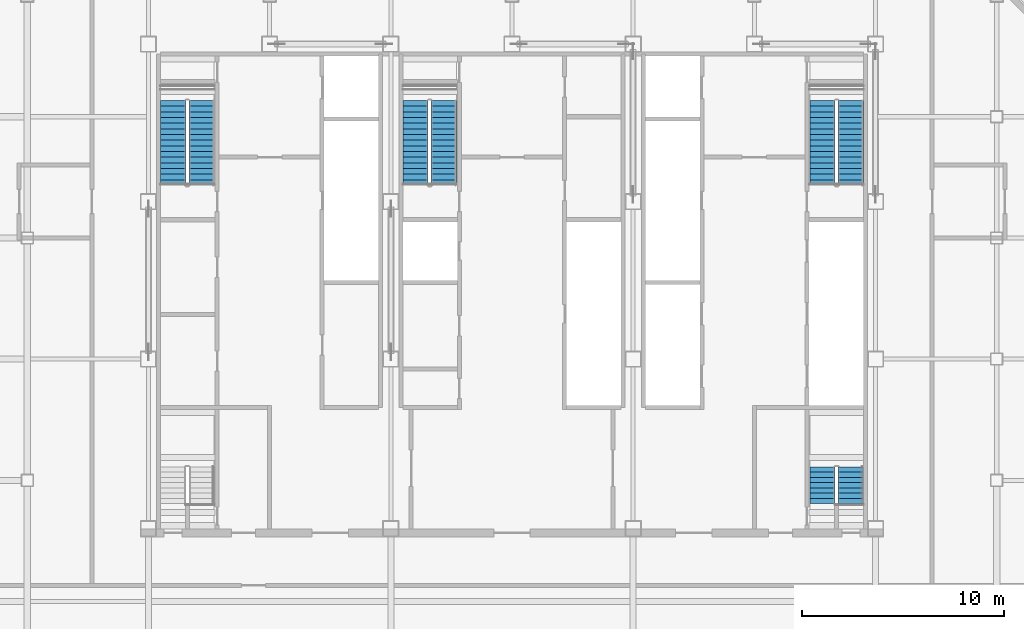
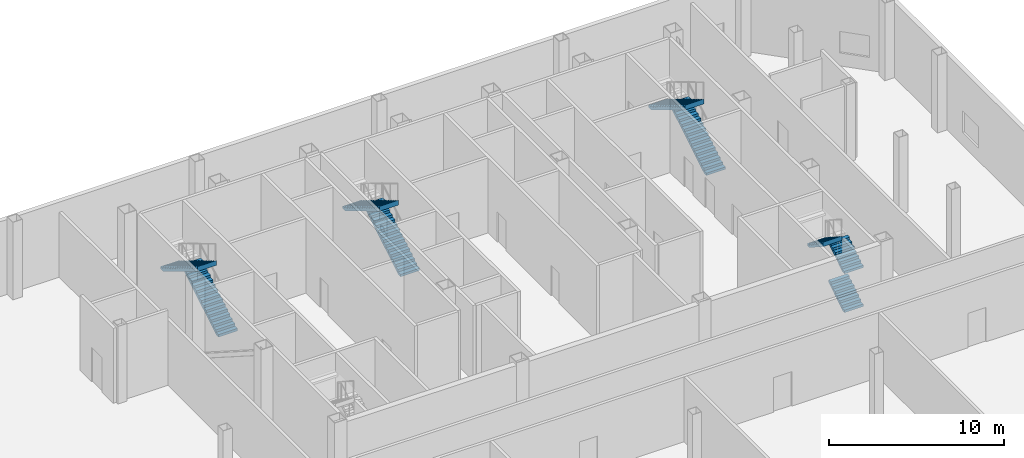
# One storey, part 8 of 11: 9 stair flights, 4 elements without a shape of their own.
"""IFC4 building model written with IfcOpenShell, lengths in metres."""

from ifc_helpers import new_model, si_unit, direction, frame, origin, place, context, subcontext, project, spatial, polyline, outline, extrude, material, type_object, element, aggregate, save


model = new_model("IFC4")

# Units and contexts
model_context = context("Model", 3, precision=1e-05, world=origin(), true_north=direction((0.0, 1.0)))
body_context = subcontext(model_context, "Body", "Model", "MODEL_VIEW")
ifc_project = project(units=[si_unit("LENGTHUNIT", "METRE"), si_unit("AREAUNIT", "SQUARE_METRE"), si_unit("VOLUMEUNIT", "CUBIC_METRE"), si_unit("PLANEANGLEUNIT", "RADIAN"), si_unit("MASSUNIT", "GRAM", prefix="KILO")], contexts=[model_context])

# Site, building, storey
site_placement = place(None, origin())
site = spatial("IfcSite", under=ifc_project, at=site_placement, CompositionType="ELEMENT")
building_placement = place(site_placement, origin())
building = spatial("IfcBuilding", under=site, at=building_placement, Name="Sorahane Residences", CompositionType="ELEMENT")
storey_placement = place(building_placement, frame((0.0, 0.0, 234.199951171875)))
storey = spatial("IfcBuildingStorey", under=building, at=storey_placement, Name="L55", CompositionType="ELEMENT", Elevation=234.199951171875)

# Stair, stair flights
ifc_material_1 = material(Name="Concrete C40", Category="concrete")
stair_type = type_object("IfcStairType", Name="Dog-leg stair 1250 Concrete C40", PredefinedType="HALF_TURN_STAIR", material=ifc_material_1)
stair_1_placement = place(storey_placement, origin())
stair_1 = element("IfcStair", 1, at=stair_1_placement, inside=storey, type_object=stair_type, Name="L55 Stair S1", PredefinedType="HALF_TURN_STAIR")
ifc_material_2 = material(Name="Concrete C40", Category="concrete")
stair_flight_type = type_object("IfcStairFlightType", Name="Stair flight 1250 Concrete C40", PredefinedType="STRAIGHT", material=ifc_material_2)
stair_flight_1_placement = place(storey_placement, frame((8.625, 38.60009765625, 0.0), z_axis=(0.0, 0.0, 1.0), x_axis=(0.0, 1.0, 0.0)))
stair_flight_1 = element("IfcStairFlight", 2, at=stair_flight_1_placement, type_object=stair_flight_type, Name="S1 flight 1", NumberOfRisers=16, NumberOfTreads=15, PredefinedType="STRAIGHT", RiserHeight=0.16875, TreadLength=0.28, context=body_context, shape_type="SweptSolid", body=[
    extrude(outline(polyline([(-0.00146484375, 0.0), (-0.00146484375, 0.168701171875), (0.0, 0.168701171875), (0.280029296875, 0.168701171875), (0.280029296875, 0.33740234375), (0.56005859375, 0.33740234375), (0.56005859375, 0.50634765625), (0.840087890625, 0.50634765625), (0.840087890625, 0.675048828125), (1.1201171875, 0.675048828125), (1.1201171875, 0.84375), (1.39990234375, 0.84375), (1.39990234375, 1.012451171875), (1.679931640625, 1.012451171875), (1.679931640625, 1.18115234375), (1.9599609375, 1.18115234375), (1.9599609375, 1.35009765625), (2.239990234375, 1.35009765625), (2.239990234375, 1.518798828125), (2.52001953125, 1.518798828125), (2.52001953125, 1.6875), (2.800048828125, 1.6875), (2.800048828125, 1.856201171875), (3.080078125, 1.856201171875), (3.080078125, 2.02490234375), (3.360107421875, 2.02490234375), (3.360107421875, 2.19384765625), (3.639892578125, 2.19384765625), (3.639892578125, 2.362548828125), (3.919921875, 2.362548828125), (3.919921875, 2.53125), (4.199951171875, 2.53125), (4.199951171875, 2.699951171875), (4.199951171875, 2.356201171875), (3.969970703125, 2.217529296875), (3.739990234375, 2.0791015625), (3.510009765625, 1.9404296875), (3.280029296875, 1.8017578125), (3.050048828125, 1.663330078125), (2.820068359375, 1.524658203125), (2.590087890625, 1.385986328125), (2.360107421875, 1.247314453125), (2.130126953125, 1.10888671875), (1.900146484375, 0.97021484375), (1.670166015625, 0.83154296875), (1.440185546875, 0.693115234375), (1.210205078125, 0.554443359375), (0.980224609375, 0.415771484375), (0.750244140625, 0.277099609375), (0.520263671875, 0.138671875), (0.29052734375, 0.0), (-0.00146484375, 0.0)])), frame((0.0, 0.625, 0.0), z_axis=(0.0, -1.0, 0.0), x_axis=(1.0, 0.0, 0.0)), (0.0, 0.0, 1.0), 1.25),
])
stair_flight_2_placement = place(storey_placement, frame((7.22509765625, 42.800048828125, 2.699951171875), z_axis=(0.0, 0.0, 1.0), x_axis=(0.0, -1.0, 0.0)))
stair_flight_2 = element("IfcStairFlight", 3, at=stair_flight_2_placement, type_object=stair_flight_type, Name="S1 flight 2", NumberOfRisers=16, NumberOfTreads=15, PredefinedType="STRAIGHT", RiserHeight=0.16875, TreadLength=0.28, context=body_context, shape_type="SweptSolid", body=[
    extrude(outline(polyline([(0.0, 0.0), (0.0, 0.168701171875), (0.280029296875, 0.168701171875), (0.280029296875, 0.33740234375), (0.56005859375, 0.33740234375), (0.56005859375, 0.50634765625), (0.840087890625, 0.50634765625), (0.840087890625, 0.675048828125), (1.1201171875, 0.675048828125), (1.1201171875, 0.84375), (1.39990234375, 0.84375), (1.39990234375, 1.012451171875), (1.679931640625, 1.012451171875), (1.679931640625, 1.18115234375), (1.9599609375, 1.18115234375), (1.9599609375, 1.35009765625), (2.239990234375, 1.35009765625), (2.239990234375, 1.518798828125), (2.52001953125, 1.518798828125), (2.52001953125, 1.6875), (2.800048828125, 1.6875), (2.800048828125, 1.856201171875), (3.080078125, 1.856201171875), (3.080078125, 2.02490234375), (3.360107421875, 2.02490234375), (3.360107421875, 2.19384765625), (3.639892578125, 2.19384765625), (3.639892578125, 2.362548828125), (3.919921875, 2.362548828125), (3.919921875, 2.53125), (4.199951171875, 2.53125), (4.199951171875, 2.699951171875), (4.201416015625, 2.699951171875), (4.201416015625, 2.356201171875), (3.971435546875, 2.217529296875), (3.741455078125, 2.0791015625), (3.51123046875, 1.9404296875), (3.28125, 1.8017578125), (3.05126953125, 1.663330078125), (2.821044921875, 1.524658203125), (2.591064453125, 1.385986328125), (2.361083984375, 1.247314453125), (2.130859375, 1.10888671875), (1.90087890625, 0.97021484375), (1.6708984375, 0.83154296875), (1.440673828125, 0.693115234375), (1.210693359375, 0.554443359375), (0.980712890625, 0.415771484375), (0.75048828125, 0.277099609375), (0.5205078125, 0.138671875), (0.29052734375, 0.0), (0.0, 0.0)])), frame((0.0, 0.625, 0.0), z_axis=(0.0, -1.0, 0.0), x_axis=(1.0, 0.0, 0.0)), (0.0, 0.0, 1.0), 1.25),
])
aggregate(stair_1, [stair_flight_1, stair_flight_2])

stair_2_placement = place(storey_placement, origin())
stair_2 = element("IfcStair", 4, at=stair_2_placement, inside=storey, type_object=stair_type, Name="L55 Stair S2", PredefinedType="HALF_TURN_STAIR")
stair_flight_3_placement = place(storey_placement, frame((40.77490234375, 38.60009765625, 0.0), z_axis=(0.0, 0.0, 1.0), x_axis=(0.0, 1.0, 0.0)))
stair_flight_3 = element("IfcStairFlight", 5, at=stair_flight_3_placement, type_object=stair_flight_type, Name="S2 flight 1", NumberOfRisers=16, NumberOfTreads=15, PredefinedType="STRAIGHT", RiserHeight=0.16875, TreadLength=0.28, context=body_context, shape_type="SweptSolid", body=[
    extrude(outline(polyline([(-0.00146484375, 0.0), (-0.00146484375, 0.168701171875), (0.0, 0.168701171875), (0.280029296875, 0.168701171875), (0.280029296875, 0.33740234375), (0.56005859375, 0.33740234375), (0.56005859375, 0.50634765625), (0.840087890625, 0.50634765625), (0.840087890625, 0.675048828125), (1.1201171875, 0.675048828125), (1.1201171875, 0.84375), (1.39990234375, 0.84375), (1.39990234375, 1.012451171875), (1.679931640625, 1.012451171875), (1.679931640625, 1.18115234375), (1.9599609375, 1.18115234375), (1.9599609375, 1.35009765625), (2.239990234375, 1.35009765625), (2.239990234375, 1.518798828125), (2.52001953125, 1.518798828125), (2.52001953125, 1.6875), (2.800048828125, 1.6875), (2.800048828125, 1.856201171875), (3.080078125, 1.856201171875), (3.080078125, 2.02490234375), (3.360107421875, 2.02490234375), (3.360107421875, 2.19384765625), (3.639892578125, 2.19384765625), (3.639892578125, 2.362548828125), (3.919921875, 2.362548828125), (3.919921875, 2.53125), (4.199951171875, 2.53125), (4.199951171875, 2.699951171875), (4.199951171875, 2.356201171875), (3.969970703125, 2.217529296875), (3.739990234375, 2.0791015625), (3.510009765625, 1.9404296875), (3.280029296875, 1.8017578125), (3.050048828125, 1.663330078125), (2.820068359375, 1.524658203125), (2.590087890625, 1.385986328125), (2.360107421875, 1.247314453125), (2.130126953125, 1.10888671875), (1.900146484375, 0.97021484375), (1.670166015625, 0.83154296875), (1.440185546875, 0.693115234375), (1.210205078125, 0.554443359375), (0.980224609375, 0.415771484375), (0.750244140625, 0.277099609375), (0.520263671875, 0.138671875), (0.29052734375, 0.0), (-0.00146484375, 0.0)])), frame((0.0, 0.625, 0.0), z_axis=(0.0, -1.0, 0.0), x_axis=(1.0, 0.0, 0.0)), (0.0, 0.0, 1.0), 1.25),
])
stair_flight_4_placement = place(storey_placement, frame((39.375, 42.800048828125, 2.699951171875), z_axis=(0.0, 0.0, 1.0), x_axis=(0.0, -1.0, 0.0)))
stair_flight_4 = element("IfcStairFlight", 6, at=stair_flight_4_placement, type_object=stair_flight_type, Name="S2 flight 2", NumberOfRisers=16, NumberOfTreads=15, PredefinedType="STRAIGHT", RiserHeight=0.16875, TreadLength=0.28, context=body_context, shape_type="SweptSolid", body=[
    extrude(outline(polyline([(0.0, 0.0), (0.0, 0.168701171875), (0.280029296875, 0.168701171875), (0.280029296875, 0.33740234375), (0.56005859375, 0.33740234375), (0.56005859375, 0.50634765625), (0.840087890625, 0.50634765625), (0.840087890625, 0.675048828125), (1.1201171875, 0.675048828125), (1.1201171875, 0.84375), (1.39990234375, 0.84375), (1.39990234375, 1.012451171875), (1.679931640625, 1.012451171875), (1.679931640625, 1.18115234375), (1.9599609375, 1.18115234375), (1.9599609375, 1.35009765625), (2.239990234375, 1.35009765625), (2.239990234375, 1.518798828125), (2.52001953125, 1.518798828125), (2.52001953125, 1.6875), (2.800048828125, 1.6875), (2.800048828125, 1.856201171875), (3.080078125, 1.856201171875), (3.080078125, 2.02490234375), (3.360107421875, 2.02490234375), (3.360107421875, 2.19384765625), (3.639892578125, 2.19384765625), (3.639892578125, 2.362548828125), (3.919921875, 2.362548828125), (3.919921875, 2.53125), (4.199951171875, 2.53125), (4.199951171875, 2.699951171875), (4.201416015625, 2.699951171875), (4.201416015625, 2.356201171875), (3.971435546875, 2.217529296875), (3.741455078125, 2.0791015625), (3.51123046875, 1.9404296875), (3.28125, 1.8017578125), (3.05126953125, 1.663330078125), (2.821044921875, 1.524658203125), (2.591064453125, 1.385986328125), (2.361083984375, 1.247314453125), (2.130859375, 1.10888671875), (1.90087890625, 0.97021484375), (1.6708984375, 0.83154296875), (1.440673828125, 0.693115234375), (1.210693359375, 0.554443359375), (0.980712890625, 0.415771484375), (0.75048828125, 0.277099609375), (0.5205078125, 0.138671875), (0.29052734375, 0.0), (0.0, 0.0)])), frame((0.0, 0.625, 0.0), z_axis=(0.0, -1.0, 0.0), x_axis=(1.0, 0.0, 0.0)), (0.0, 0.0, 1.0), 1.25),
])
aggregate(stair_2, [stair_flight_3, stair_flight_4])

stair_3_placement = place(storey_placement, origin())
stair_3 = element("IfcStair", 7, at=stair_3_placement, inside=storey, type_object=stair_type, Name="L55 Stair S3", PredefinedType="HALF_TURN_STAIR")
stair_flight_5_placement = place(storey_placement, frame((20.625, 38.60009765625, 0.0), z_axis=(0.0, 0.0, 1.0), x_axis=(0.0, 1.0, 0.0)))
stair_flight_5 = element("IfcStairFlight", 8, at=stair_flight_5_placement, type_object=stair_flight_type, Name="S3 flight 1", NumberOfRisers=16, NumberOfTreads=15, PredefinedType="STRAIGHT", RiserHeight=0.16875, TreadLength=0.28, context=body_context, shape_type="SweptSolid", body=[
    extrude(outline(polyline([(-0.00146484375, 0.0), (-0.00146484375, 0.168701171875), (0.0, 0.168701171875), (0.280029296875, 0.168701171875), (0.280029296875, 0.33740234375), (0.56005859375, 0.33740234375), (0.56005859375, 0.50634765625), (0.840087890625, 0.50634765625), (0.840087890625, 0.675048828125), (1.1201171875, 0.675048828125), (1.1201171875, 0.84375), (1.39990234375, 0.84375), (1.39990234375, 1.012451171875), (1.679931640625, 1.012451171875), (1.679931640625, 1.18115234375), (1.9599609375, 1.18115234375), (1.9599609375, 1.35009765625), (2.239990234375, 1.35009765625), (2.239990234375, 1.518798828125), (2.52001953125, 1.518798828125), (2.52001953125, 1.6875), (2.800048828125, 1.6875), (2.800048828125, 1.856201171875), (3.080078125, 1.856201171875), (3.080078125, 2.02490234375), (3.360107421875, 2.02490234375), (3.360107421875, 2.19384765625), (3.639892578125, 2.19384765625), (3.639892578125, 2.362548828125), (3.919921875, 2.362548828125), (3.919921875, 2.53125), (4.199951171875, 2.53125), (4.199951171875, 2.699951171875), (4.199951171875, 2.356201171875), (3.969970703125, 2.217529296875), (3.739990234375, 2.0791015625), (3.510009765625, 1.9404296875), (3.280029296875, 1.8017578125), (3.050048828125, 1.663330078125), (2.820068359375, 1.524658203125), (2.590087890625, 1.385986328125), (2.360107421875, 1.247314453125), (2.130126953125, 1.10888671875), (1.900146484375, 0.97021484375), (1.670166015625, 0.83154296875), (1.440185546875, 0.693115234375), (1.210205078125, 0.554443359375), (0.980224609375, 0.415771484375), (0.750244140625, 0.277099609375), (0.520263671875, 0.138671875), (0.29052734375, 0.0), (-0.00146484375, 0.0)])), frame((0.0, 0.625, 0.0), z_axis=(0.0, -1.0, 0.0), x_axis=(1.0, 0.0, 0.0)), (0.0, 0.0, 1.0), 1.25),
])
stair_flight_6_placement = place(storey_placement, frame((19.22509765625, 42.800048828125, 2.699951171875), z_axis=(0.0, 0.0, 1.0), x_axis=(0.0, -1.0, 0.0)))
stair_flight_6 = element("IfcStairFlight", 9, at=stair_flight_6_placement, type_object=stair_flight_type, Name="S3 flight 2", NumberOfRisers=16, NumberOfTreads=15, PredefinedType="STRAIGHT", RiserHeight=0.16875, TreadLength=0.28, context=body_context, shape_type="SweptSolid", body=[
    extrude(outline(polyline([(0.0, 0.0), (0.0, 0.168701171875), (0.280029296875, 0.168701171875), (0.280029296875, 0.33740234375), (0.56005859375, 0.33740234375), (0.56005859375, 0.50634765625), (0.840087890625, 0.50634765625), (0.840087890625, 0.675048828125), (1.1201171875, 0.675048828125), (1.1201171875, 0.84375), (1.39990234375, 0.84375), (1.39990234375, 1.012451171875), (1.679931640625, 1.012451171875), (1.679931640625, 1.18115234375), (1.9599609375, 1.18115234375), (1.9599609375, 1.35009765625), (2.239990234375, 1.35009765625), (2.239990234375, 1.518798828125), (2.52001953125, 1.518798828125), (2.52001953125, 1.6875), (2.800048828125, 1.6875), (2.800048828125, 1.856201171875), (3.080078125, 1.856201171875), (3.080078125, 2.02490234375), (3.360107421875, 2.02490234375), (3.360107421875, 2.19384765625), (3.639892578125, 2.19384765625), (3.639892578125, 2.362548828125), (3.919921875, 2.362548828125), (3.919921875, 2.53125), (4.199951171875, 2.53125), (4.199951171875, 2.699951171875), (4.201416015625, 2.699951171875), (4.201416015625, 2.356201171875), (3.971435546875, 2.217529296875), (3.741455078125, 2.0791015625), (3.51123046875, 1.9404296875), (3.28125, 1.8017578125), (3.05126953125, 1.663330078125), (2.821044921875, 1.524658203125), (2.591064453125, 1.385986328125), (2.361083984375, 1.247314453125), (2.130859375, 1.10888671875), (1.90087890625, 0.97021484375), (1.6708984375, 0.83154296875), (1.440673828125, 0.693115234375), (1.210693359375, 0.554443359375), (0.980712890625, 0.415771484375), (0.75048828125, 0.277099609375), (0.5205078125, 0.138671875), (0.29052734375, 0.0), (0.0, 0.0)])), frame((0.0, 0.625, 0.0), z_axis=(0.0, -1.0, 0.0), x_axis=(1.0, 0.0, 0.0)), (0.0, 0.0, 1.0), 1.25),
])
aggregate(stair_3, [stair_flight_5, stair_flight_6])

stair_4_placement = place(storey_placement, origin())
stair_4 = element("IfcStair", 10, at=stair_4_placement, inside=storey, type_object=stair_type, Name="L55 Stair S5", PredefinedType="HALF_TURN_STAIR")
stair_flight_7_placement = place(storey_placement, frame((40.77490234375, 22.85009765625, 0.0), z_axis=(0.0, 0.0, 1.0), x_axis=(0.0, 1.0, 0.0)))
stair_flight_7 = element("IfcStairFlight", 11, at=stair_flight_7_placement, type_object=stair_flight_type, Name="S5 flight 1", NumberOfRisers=8, NumberOfTreads=7, PredefinedType="STRAIGHT", RiserHeight=0.16875, TreadLength=0.26, context=body_context, shape_type="SweptSolid", body=[
    extrude(outline(polyline([(-0.00146484375, 0.0), (-0.00146484375, 0.002197265625), (-0.00146484375, 0.004150390625), (-0.00146484375, 0.00634765625), (-0.00146484375, 0.00830078125), (-0.00146484375, 0.010498046875), (-0.00146484375, 0.012451171875), (-0.00146484375, 0.0146484375), (-0.00146484375, 0.0166015625), (-0.00146484375, 0.018798828125), (-0.00146484375, 0.020751953125), (-0.00146484375, 0.02294921875), (-0.00146484375, 0.02490234375), (-0.00146484375, 0.027099609375), (-0.00146484375, 0.029052734375), (-0.00146484375, 0.03125), (-0.00146484375, 0.033447265625), (-0.00146484375, 0.035400390625), (-0.00146484375, 0.03759765625), (-0.00146484375, 0.03955078125), (-0.00146484375, 0.041748046875), (-0.00146484375, 0.043701171875), (-0.00146484375, 0.0458984375), (-0.00146484375, 0.0478515625), (-0.00146484375, 0.050048828125), (-0.00146484375, 0.052001953125), (-0.00146484375, 0.05419921875), (-0.00146484375, 0.05615234375), (-0.00146484375, 0.058349609375), (-0.00146484375, 0.060302734375), (-0.00146484375, 0.0625), (-0.00146484375, 0.064697265625), (-0.00146484375, 0.066650390625), (-0.00146484375, 0.06884765625), (-0.00146484375, 0.07080078125), (-0.00146484375, 0.072998046875), (-0.00146484375, 0.074951171875), (-0.00146484375, 0.0771484375), (-0.00146484375, 0.0791015625), (-0.00146484375, 0.081298828125), (-0.00146484375, 0.083251953125), (-0.00146484375, 0.08544921875), (-0.00146484375, 0.08740234375), (-0.00146484375, 0.089599609375), (-0.00146484375, 0.091552734375), (-0.00146484375, 0.09375), (-0.00146484375, 0.095947265625), (-0.00146484375, 0.097900390625), (-0.00146484375, 0.10009765625), (-0.00146484375, 0.10205078125), (-0.00146484375, 0.104248046875), (-0.00146484375, 0.106201171875), (-0.00146484375, 0.1083984375), (-0.00146484375, 0.1103515625), (-0.00146484375, 0.112548828125), (-0.00146484375, 0.114501953125), (-0.00146484375, 0.11669921875), (-0.00146484375, 0.11865234375), (-0.00146484375, 0.120849609375), (-0.00146484375, 0.122802734375), (-0.00146484375, 0.125), (-0.00146484375, 0.127197265625), (-0.00146484375, 0.129150390625), (-0.00146484375, 0.13134765625), (-0.00146484375, 0.13330078125), (-0.00146484375, 0.135498046875), (-0.00146484375, 0.137451171875), (-0.00146484375, 0.1396484375), (-0.00146484375, 0.1416015625), (-0.00146484375, 0.143798828125), (-0.00146484375, 0.145751953125), (-0.00146484375, 0.14794921875), (-0.00146484375, 0.14990234375), (-0.00146484375, 0.152099609375), (-0.00146484375, 0.154052734375), (-0.00146484375, 0.15625), (-0.00146484375, 0.158447265625), (-0.00146484375, 0.160400390625), (-0.00146484375, 0.16259765625), (-0.00146484375, 0.16455078125), (-0.00146484375, 0.166748046875), (-0.00146484375, 0.168701171875), (0.0, 0.168701171875), (0.260009765625, 0.168701171875), (0.260009765625, 0.33740234375), (0.52001953125, 0.33740234375), (0.52001953125, 0.50634765625), (0.780029296875, 0.50634765625), (0.780029296875, 0.675048828125), (1.0400390625, 0.675048828125), (1.0400390625, 0.84375), (1.300048828125, 0.84375), (1.300048828125, 1.012451171875), (1.56005859375, 1.012451171875), (1.56005859375, 1.18115234375), (1.820068359375, 1.18115234375), (1.820068359375, 1.35009765625), (1.820068359375, 1.34619140625), (1.820068359375, 1.34228515625), (1.820068359375, 1.33837890625), (1.820068359375, 1.334716796875), (1.820068359375, 1.330810546875), (1.820068359375, 1.326904296875), (1.820068359375, 1.322998046875), (1.820068359375, 1.319091796875), (1.820068359375, 1.3154296875), (1.820068359375, 1.3115234375), (1.820068359375, 1.3076171875), (1.820068359375, 1.3037109375), (1.820068359375, 1.300048828125), (1.820068359375, 1.296142578125), (1.820068359375, 1.292236328125), (1.820068359375, 1.288330078125), (1.820068359375, 1.284423828125), (1.820068359375, 1.28076171875), (1.820068359375, 1.27685546875), (1.820068359375, 1.27294921875), (1.820068359375, 1.26904296875), (1.820068359375, 1.265380859375), (1.820068359375, 1.261474609375), (1.820068359375, 1.257568359375), (1.820068359375, 1.253662109375), (1.820068359375, 1.249755859375), (1.820068359375, 1.24609375), (1.820068359375, 1.2421875), (1.820068359375, 1.23828125), (1.820068359375, 1.234375), (1.820068359375, 1.230712890625), (1.820068359375, 1.226806640625), (1.820068359375, 1.222900390625), (1.820068359375, 1.218994140625), (1.820068359375, 1.215087890625), (1.820068359375, 1.21142578125), (1.820068359375, 1.20751953125), (1.820068359375, 1.20361328125), (1.820068359375, 1.19970703125), (1.820068359375, 1.196044921875), (1.820068359375, 1.192138671875), (1.820068359375, 1.188232421875), (1.820068359375, 1.184326171875), (1.820068359375, 1.1806640625), (1.820068359375, 1.1767578125), (1.820068359375, 1.1728515625), (1.820068359375, 1.1689453125), (1.820068359375, 1.1650390625), (1.820068359375, 1.161376953125), (1.820068359375, 1.157470703125), (1.820068359375, 1.153564453125), (1.820068359375, 1.149658203125), (1.820068359375, 1.14599609375), (1.820068359375, 1.14208984375), (1.820068359375, 1.13818359375), (1.820068359375, 1.13427734375), (1.820068359375, 1.13037109375), (1.820068359375, 1.126708984375), (1.820068359375, 1.122802734375), (1.820068359375, 1.118896484375), (1.820068359375, 1.114990234375), (1.820068359375, 1.111328125), (1.820068359375, 1.107421875), (1.820068359375, 1.103515625), (1.820068359375, 1.099609375), (1.820068359375, 1.095703125), (1.820068359375, 1.092041015625), (1.820068359375, 1.088134765625), (1.820068359375, 1.084228515625), (1.820068359375, 1.080322265625), (1.820068359375, 1.07666015625), (1.820068359375, 1.07275390625), (1.820068359375, 1.06884765625), (1.820068359375, 1.06494140625), (1.820068359375, 1.061279296875), (1.820068359375, 1.057373046875), (1.820068359375, 1.053466796875), (1.820068359375, 1.049560546875), (1.820068359375, 1.045654296875), (1.820068359375, 1.0419921875), (1.820068359375, 1.0380859375), (1.642333984375, 0.922607421875), (1.464599609375, 0.807373046875), (1.286865234375, 0.692138671875), (1.109130859375, 0.57666015625), (0.931396484375, 0.46142578125), (0.753662109375, 0.345947265625), (0.575927734375, 0.230712890625), (0.3984375, 0.115234375), (0.220703125, 0.0), (-0.00146484375, 0.0)])), frame((0.0, 0.625, 0.0), z_axis=(0.0, -1.0, 0.0), x_axis=(1.0, 0.0, 0.0)), (0.0, 0.0, 1.0), 1.25),
])
stair_flight_8_placement = place(storey_placement, frame((40.77490234375, 22.85009765625, 2.699951171875), z_axis=(0.0, 0.0, 1.0), x_axis=(0.0, 1.0, 0.0)))
stair_flight_8 = element("IfcStairFlight", 12, at=stair_flight_8_placement, type_object=stair_flight_type, Name="S5 flight 3", NumberOfRisers=8, NumberOfTreads=7, PredefinedType="STRAIGHT", RiserHeight=0.16875, TreadLength=0.26, context=body_context, shape_type="SweptSolid", body=[
    extrude(outline(polyline([(0.0, 0.0), (0.0, 0.002197265625), (0.0, 0.004150390625), (0.0, 0.00634765625), (0.0, 0.00830078125), (0.0, 0.010498046875), (0.0, 0.012451171875), (0.0, 0.0146484375), (0.0, 0.0166015625), (0.0, 0.018798828125), (0.0, 0.020751953125), (0.0, 0.02294921875), (0.0, 0.02490234375), (0.0, 0.027099609375), (0.0, 0.029052734375), (0.0, 0.03125), (0.0, 0.033447265625), (0.0, 0.035400390625), (0.0, 0.03759765625), (0.0, 0.03955078125), (0.0, 0.041748046875), (0.0, 0.043701171875), (0.0, 0.0458984375), (0.0, 0.0478515625), (0.0, 0.050048828125), (0.0, 0.052001953125), (0.0, 0.05419921875), (0.0, 0.05615234375), (0.0, 0.058349609375), (0.0, 0.060302734375), (0.0, 0.0625), (0.0, 0.064697265625), (0.0, 0.066650390625), (0.0, 0.06884765625), (0.0, 0.07080078125), (0.0, 0.072998046875), (0.0, 0.074951171875), (0.0, 0.0771484375), (0.0, 0.0791015625), (0.0, 0.081298828125), (0.0, 0.083251953125), (0.0, 0.08544921875), (0.0, 0.08740234375), (0.0, 0.089599609375), (0.0, 0.091552734375), (0.0, 0.09375), (0.0, 0.095947265625), (0.0, 0.097900390625), (0.0, 0.10009765625), (0.0, 0.10205078125), (0.0, 0.104248046875), (0.0, 0.106201171875), (0.0, 0.1083984375), (0.0, 0.1103515625), (0.0, 0.112548828125), (0.0, 0.114501953125), (0.0, 0.11669921875), (0.0, 0.11865234375), (0.0, 0.120849609375), (0.0, 0.122802734375), (0.0, 0.125), (0.0, 0.127197265625), (0.0, 0.129150390625), (0.0, 0.13134765625), (0.0, 0.13330078125), (0.0, 0.135498046875), (0.0, 0.137451171875), (0.0, 0.1396484375), (0.0, 0.1416015625), (0.0, 0.143798828125), (0.0, 0.145751953125), (0.0, 0.14794921875), (0.0, 0.14990234375), (0.0, 0.152099609375), (0.0, 0.154052734375), (0.0, 0.15625), (0.0, 0.158447265625), (0.0, 0.160400390625), (0.0, 0.16259765625), (0.0, 0.16455078125), (0.0, 0.166748046875), (0.0, 0.168701171875), (0.260009765625, 0.168701171875), (0.260009765625, 0.33740234375), (0.52001953125, 0.33740234375), (0.52001953125, 0.50634765625), (0.780029296875, 0.50634765625), (0.780029296875, 0.675048828125), (1.0400390625, 0.675048828125), (1.0400390625, 0.84375), (1.300048828125, 0.84375), (1.300048828125, 1.012451171875), (1.56005859375, 1.012451171875), (1.56005859375, 1.18115234375), (1.820068359375, 1.18115234375), (1.820068359375, 1.35009765625), (1.820068359375, 1.34619140625), (1.820068359375, 1.34228515625), (1.820068359375, 1.33837890625), (1.820068359375, 1.334716796875), (1.820068359375, 1.330810546875), (1.820068359375, 1.326904296875), (1.820068359375, 1.322998046875), (1.820068359375, 1.319091796875), (1.820068359375, 1.3154296875), (1.820068359375, 1.3115234375), (1.820068359375, 1.3076171875), (1.820068359375, 1.3037109375), (1.820068359375, 1.300048828125), (1.820068359375, 1.296142578125), (1.820068359375, 1.292236328125), (1.820068359375, 1.288330078125), (1.820068359375, 1.284423828125), (1.820068359375, 1.28076171875), (1.820068359375, 1.27685546875), (1.820068359375, 1.27294921875), (1.820068359375, 1.26904296875), (1.820068359375, 1.265380859375), (1.820068359375, 1.261474609375), (1.820068359375, 1.257568359375), (1.820068359375, 1.253662109375), (1.820068359375, 1.249755859375), (1.820068359375, 1.24609375), (1.820068359375, 1.2421875), (1.820068359375, 1.23828125), (1.820068359375, 1.234375), (1.820068359375, 1.230712890625), (1.820068359375, 1.226806640625), (1.820068359375, 1.222900390625), (1.820068359375, 1.218994140625), (1.820068359375, 1.215087890625), (1.820068359375, 1.21142578125), (1.820068359375, 1.20751953125), (1.820068359375, 1.20361328125), (1.820068359375, 1.19970703125), (1.820068359375, 1.196044921875), (1.820068359375, 1.192138671875), (1.820068359375, 1.188232421875), (1.820068359375, 1.184326171875), (1.820068359375, 1.1806640625), (1.820068359375, 1.1767578125), (1.820068359375, 1.1728515625), (1.820068359375, 1.1689453125), (1.820068359375, 1.1650390625), (1.820068359375, 1.161376953125), (1.820068359375, 1.157470703125), (1.820068359375, 1.153564453125), (1.820068359375, 1.149658203125), (1.820068359375, 1.14599609375), (1.820068359375, 1.14208984375), (1.820068359375, 1.13818359375), (1.820068359375, 1.13427734375), (1.820068359375, 1.13037109375), (1.820068359375, 1.126708984375), (1.820068359375, 1.122802734375), (1.820068359375, 1.118896484375), (1.820068359375, 1.114990234375), (1.820068359375, 1.111328125), (1.820068359375, 1.107421875), (1.820068359375, 1.103515625), (1.820068359375, 1.099609375), (1.820068359375, 1.095703125), (1.820068359375, 1.092041015625), (1.820068359375, 1.088134765625), (1.820068359375, 1.084228515625), (1.820068359375, 1.080322265625), (1.820068359375, 1.07666015625), (1.820068359375, 1.07275390625), (1.820068359375, 1.06884765625), (1.820068359375, 1.06494140625), (1.820068359375, 1.061279296875), (1.820068359375, 1.057373046875), (1.820068359375, 1.053466796875), (1.820068359375, 1.049560546875), (1.820068359375, 1.045654296875), (1.820068359375, 1.0419921875), (1.820068359375, 1.0380859375), (1.6201171875, 0.908203125), (1.420166015625, 0.778564453125), (1.22021484375, 0.648681640625), (1.020263671875, 0.51904296875), (0.8203125, 0.38916015625), (0.620361328125, 0.259521484375), (0.420654296875, 0.129638671875), (0.220703125, 0.0), (0.0, 0.0)])), frame((0.0, 0.625, 0.0), z_axis=(0.0, -1.0, 0.0), x_axis=(1.0, 0.0, 0.0)), (0.0, 0.0, 1.0), 1.25),
])
stair_flight_9_placement = place(storey_placement, frame((39.375, 24.669921875, 4.050048828125), z_axis=(0.0, 0.0, 1.0), x_axis=(0.0, -1.0, 0.0)))
stair_flight_9 = element("IfcStairFlight", 13, at=stair_flight_9_placement, type_object=stair_flight_type, Name="S5 flight 4", NumberOfRisers=8, NumberOfTreads=7, PredefinedType="STRAIGHT", RiserHeight=0.16875, TreadLength=0.26, context=body_context, shape_type="SweptSolid", body=[
    extrude(outline(polyline([(0.0, 0.0), (0.0, 0.002197265625), (0.0, 0.004150390625), (0.0, 0.00634765625), (0.0, 0.00830078125), (0.0, 0.010498046875), (0.0, 0.012451171875), (0.0, 0.0146484375), (0.0, 0.0166015625), (0.0, 0.018798828125), (0.0, 0.020751953125), (0.0, 0.02294921875), (0.0, 0.02490234375), (0.0, 0.027099609375), (0.0, 0.029052734375), (0.0, 0.03125), (0.0, 0.033447265625), (0.0, 0.035400390625), (0.0, 0.03759765625), (0.0, 0.03955078125), (0.0, 0.041748046875), (0.0, 0.043701171875), (0.0, 0.0458984375), (0.0, 0.0478515625), (0.0, 0.050048828125), (0.0, 0.052001953125), (0.0, 0.05419921875), (0.0, 0.05615234375), (0.0, 0.058349609375), (0.0, 0.060302734375), (0.0, 0.0625), (0.0, 0.064697265625), (0.0, 0.066650390625), (0.0, 0.06884765625), (0.0, 0.07080078125), (0.0, 0.072998046875), (0.0, 0.074951171875), (0.0, 0.0771484375), (0.0, 0.0791015625), (0.0, 0.081298828125), (0.0, 0.083251953125), (0.0, 0.08544921875), (0.0, 0.08740234375), (0.0, 0.089599609375), (0.0, 0.091552734375), (0.0, 0.09375), (0.0, 0.095947265625), (0.0, 0.097900390625), (0.0, 0.10009765625), (0.0, 0.10205078125), (0.0, 0.104248046875), (0.0, 0.106201171875), (0.0, 0.1083984375), (0.0, 0.1103515625), (0.0, 0.112548828125), (0.0, 0.114501953125), (0.0, 0.11669921875), (0.0, 0.11865234375), (0.0, 0.120849609375), (0.0, 0.122802734375), (0.0, 0.125), (0.0, 0.127197265625), (0.0, 0.129150390625), (0.0, 0.13134765625), (0.0, 0.13330078125), (0.0, 0.135498046875), (0.0, 0.137451171875), (0.0, 0.1396484375), (0.0, 0.1416015625), (0.0, 0.143798828125), (0.0, 0.145751953125), (0.0, 0.14794921875), (0.0, 0.14990234375), (0.0, 0.152099609375), (0.0, 0.154052734375), (0.0, 0.15625), (0.0, 0.158447265625), (0.0, 0.160400390625), (0.0, 0.16259765625), (0.0, 0.16455078125), (0.0, 0.166748046875), (0.0, 0.168701171875), (0.260009765625, 0.168701171875), (0.260009765625, 0.33740234375), (0.52001953125, 0.33740234375), (0.52001953125, 0.50634765625), (0.780029296875, 0.50634765625), (0.780029296875, 0.675048828125), (1.0400390625, 0.675048828125), (1.0400390625, 0.84375), (1.300048828125, 0.84375), (1.300048828125, 1.012451171875), (1.56005859375, 1.012451171875), (1.56005859375, 1.18115234375), (1.820068359375, 1.18115234375), (1.820068359375, 1.35009765625), (1.821533203125, 1.35009765625), (1.821533203125, 1.34619140625), (1.821533203125, 1.34228515625), (1.821533203125, 1.33837890625), (1.821533203125, 1.334716796875), (1.821533203125, 1.330810546875), (1.821533203125, 1.326904296875), (1.821533203125, 1.322998046875), (1.821533203125, 1.319091796875), (1.821533203125, 1.3154296875), (1.821533203125, 1.3115234375), (1.821533203125, 1.3076171875), (1.821533203125, 1.3037109375), (1.821533203125, 1.300048828125), (1.821533203125, 1.296142578125), (1.821533203125, 1.292236328125), (1.821533203125, 1.288330078125), (1.821533203125, 1.284423828125), (1.821533203125, 1.28076171875), (1.821533203125, 1.27685546875), (1.821533203125, 1.27294921875), (1.821533203125, 1.26904296875), (1.821533203125, 1.265380859375), (1.821533203125, 1.261474609375), (1.821533203125, 1.257568359375), (1.821533203125, 1.253662109375), (1.821533203125, 1.249755859375), (1.821533203125, 1.24609375), (1.821533203125, 1.2421875), (1.821533203125, 1.23828125), (1.821533203125, 1.234375), (1.821533203125, 1.230712890625), (1.821533203125, 1.226806640625), (1.821533203125, 1.222900390625), (1.821533203125, 1.218994140625), (1.821533203125, 1.215087890625), (1.821533203125, 1.21142578125), (1.821533203125, 1.20751953125), (1.821533203125, 1.20361328125), (1.821533203125, 1.19970703125), (1.821533203125, 1.196044921875), (1.821533203125, 1.192138671875), (1.821533203125, 1.188232421875), (1.821533203125, 1.184326171875), (1.821533203125, 1.1806640625), (1.821533203125, 1.1767578125), (1.821533203125, 1.1728515625), (1.821533203125, 1.1689453125), (1.821533203125, 1.1650390625), (1.821533203125, 1.161376953125), (1.821533203125, 1.157470703125), (1.821533203125, 1.153564453125), (1.821533203125, 1.149658203125), (1.821533203125, 1.14599609375), (1.821533203125, 1.14208984375), (1.821533203125, 1.13818359375), (1.821533203125, 1.13427734375), (1.821533203125, 1.13037109375), (1.821533203125, 1.126708984375), (1.821533203125, 1.122802734375), (1.821533203125, 1.118896484375), (1.821533203125, 1.114990234375), (1.821533203125, 1.111328125), (1.821533203125, 1.107421875), (1.821533203125, 1.103515625), (1.821533203125, 1.099609375), (1.821533203125, 1.095703125), (1.821533203125, 1.092041015625), (1.821533203125, 1.088134765625), (1.821533203125, 1.084228515625), (1.821533203125, 1.080322265625), (1.821533203125, 1.07666015625), (1.821533203125, 1.07275390625), (1.821533203125, 1.06884765625), (1.821533203125, 1.06494140625), (1.821533203125, 1.061279296875), (1.821533203125, 1.057373046875), (1.821533203125, 1.053466796875), (1.821533203125, 1.049560546875), (1.821533203125, 1.045654296875), (1.821533203125, 1.0419921875), (1.821533203125, 1.0380859375), (1.6435546875, 0.922607421875), (1.4658203125, 0.807373046875), (1.287841796875, 0.692138671875), (1.110107421875, 0.57666015625), (0.93212890625, 0.46142578125), (0.754150390625, 0.345947265625), (0.576416015625, 0.230712890625), (0.3984375, 0.115234375), (0.220703125, 0.0), (0.0, 0.0)])), frame((0.0, 0.625, 0.0), z_axis=(0.0, -1.0, 0.0), x_axis=(1.0, 0.0, 0.0)), (0.0, 0.0, 1.0), 1.25),
])
aggregate(stair_4, [stair_flight_7, stair_flight_8, stair_flight_9])

save(model, "model.ifc")
